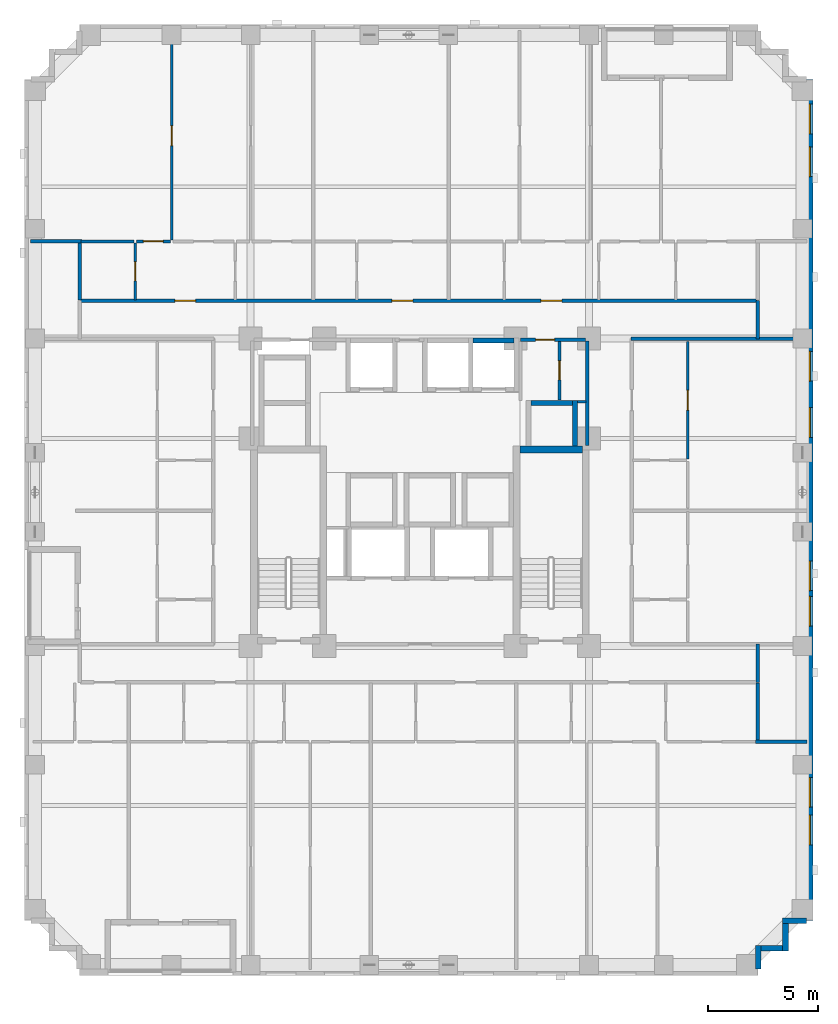
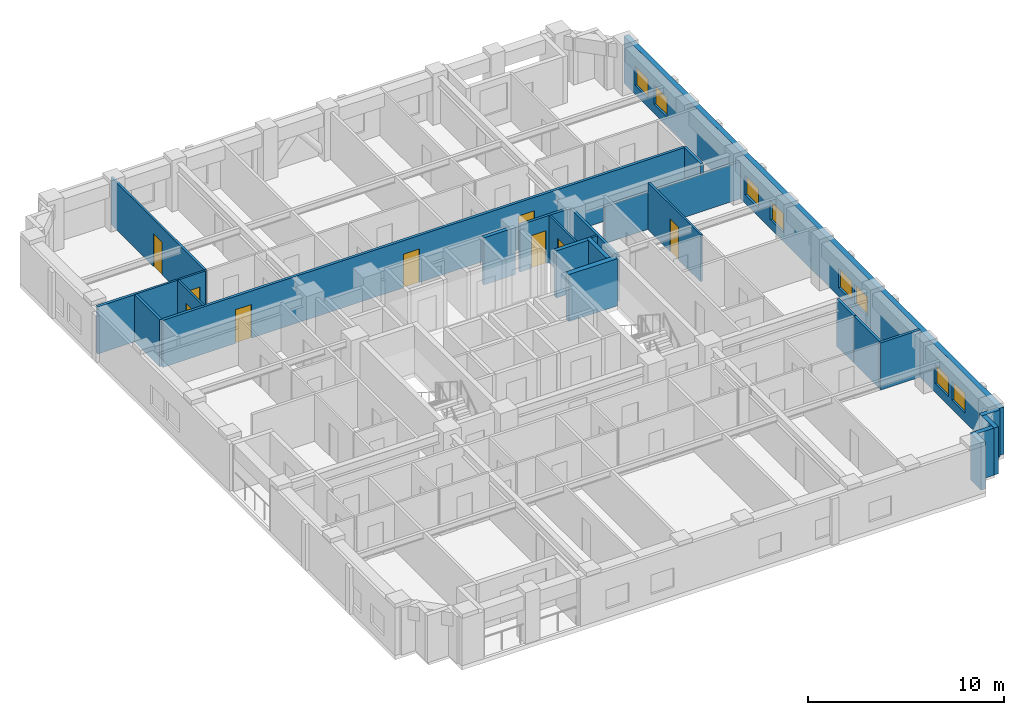
# One storey, part 6 of 12: 26 walls, 9 doors, 8 windows, 17 openings.
"""IFC4 building model written with IfcOpenShell, lengths in metres."""

from ifc_helpers import new_model, si_unit, derived_unit, direction, frame, frame_2d, origin, place, context, subcontext, project, spatial, rectangle, extrude, material, layer, layer_set, type_object, element, fill, save


model = new_model("IFC4")

# Units and contexts
model_context = context("Model", 3, precision=1e-05, world=origin(), true_north=direction((0.0, 1.0)))
body_context = subcontext(model_context, "Body", "Model", "MODEL_VIEW")
ifc_project = project(units=[si_unit("LENGTHUNIT", "METRE"), si_unit("AREAUNIT", "SQUARE_METRE"), si_unit("VOLUMEUNIT", "CUBIC_METRE"), si_unit("PLANEANGLEUNIT", "RADIAN"), si_unit("MASSUNIT", "GRAM", prefix="KILO"), derived_unit("THERMALTRANSMITTANCEUNIT", [(si_unit("MASSUNIT", "GRAM", prefix="KILO"), 1), (si_unit("TIMEUNIT", "SECOND"), -3), (si_unit("THERMODYNAMICTEMPERATUREUNIT", "KELVIN"), -1)])], contexts=[model_context])

# Site, building, storey
site_placement = place(None, origin())
site = spatial("IfcSite", under=ifc_project, at=site_placement, CompositionType="ELEMENT")
building_placement = place(site_placement, origin())
building = spatial("IfcBuilding", under=site, at=building_placement, Name="Korrvale Station Residences", CompositionType="ELEMENT")
storey_placement = place(building_placement, frame((0.0, 0.0, 94.300048828125)))
storey = spatial("IfcBuildingStorey", under=building, at=storey_placement, Name="L26", CompositionType="ELEMENT", Elevation=94.300048828125)

# Walls
ifc_material_1 = material(Name="Concrete C60/75", Category="concrete")
ifc_layer_1 = layer(ifc_material_1, 0.300048828125, Name="Concrete C60/75")
ifc_layer_set_1 = layer_set([ifc_layer_1], Name="Concrete C60/75")
wall_type_1 = type_object("IfcWallType", Name="WAL-CORE-300-C60", PredefinedType="SHEAR", material=ifc_layer_set_1)
wall_1_placement = place(storey_placement, frame((30.050048828125, 23.949951171875, 0.0), z_axis=(0.0, 0.0, 1.0), x_axis=(1.0, 0.0, 0.0)))
element("IfcWall", 1, at=wall_1_placement, inside=storey, type_object=wall_type_1, Name="L26 ST-2 Core Shear Wall North", PredefinedType="SHEAR", context=body_context, shape_type="SweptSolid", body=[
    extrude(rectangle(XDim=2.849853515625, YDim=0.300048828125, at=frame_2d((1.4248046875, 0.0))), origin(), (0.0, 0.0, 1.0), 2.93994140625),
])
ifc_material_2 = material(Name="Precast concrete C45/55", Category="concrete")
ifc_layer_2 = layer(ifc_material_2, 0.260009765625, Name="Precast concrete C45/55")
ifc_layer_set_2 = layer_set([ifc_layer_2], Name="Precast concrete C45/55")
wall_type_2 = type_object("IfcWallType", Name="WAL-EXT-LOG260", PredefinedType="SOLIDWALL", material=ifc_layer_set_2)
wall_2_placement = place(storey_placement, frame((43.097900390625, 2.5, 0.0), z_axis=(0.0, 0.0, 1.0), x_axis=(-1.0, 0.0, 0.0)))
element("IfcWall", 2, at=wall_2_placement, inside=storey, type_object=wall_type_2, Name="L26 Serrated Corner Precast Step SE-1", PredefinedType="SOLIDWALL", context=body_context, shape_type="SweptSolid", body=[
    extrude(rectangle(XDim=1.077880859375, YDim=0.260009765625, at=frame_2d((0.5390625, 0.0))), origin(), (0.0, 0.0, 1.0), 2.93994140625),
])
wall_3_placement = place(storey_placement, frame((42.14990234375, 2.367919921875, 0.0), z_axis=(0.0, 0.0, 1.0), x_axis=(0.0, -1.0, 0.0)))
element("IfcWall", 3, at=wall_3_placement, inside=storey, type_object=wall_type_2, Name="L26 Serrated Corner Precast Step SE-2", PredefinedType="SOLIDWALL", context=body_context, shape_type="SweptSolid", body=[
    extrude(rectangle(XDim=1.247802734375, YDim=0.260009765625, at=frame_2d((0.6240234375, 0.0))), origin(), (0.0, 0.0, 1.0), 2.93994140625),
])
wall_4_placement = place(storey_placement, frame((42.01806640625, 1.25, 0.0), z_axis=(0.0, 0.0, 1.0), x_axis=(-1.0, 0.0, 0.0)))
element("IfcWall", 4, at=wall_4_placement, inside=storey, type_object=wall_type_2, Name="L26 Serrated Corner Precast Step SE-3", PredefinedType="SOLIDWALL", context=body_context, shape_type="SweptSolid", body=[
    extrude(rectangle(XDim=0.986083984375, YDim=0.260009765625, at=frame_2d((0.4931640625, 0.0))), origin(), (0.0, 0.0, 1.0), 2.93994140625),
])
wall_5_placement = place(storey_placement, frame((40.89990234375, 1.3798828125, 0.0), z_axis=(0.0, 0.0, 1.0), x_axis=(0.0, -1.0, 0.0)))
element("IfcWall", 5, at=wall_5_placement, inside=storey, type_object=wall_type_2, Name="L26 Serrated Corner Precast Step SE-4", PredefinedType="SOLIDWALL", context=body_context, shape_type="SweptSolid", body=[
    extrude(rectangle(XDim=1.077880859375, YDim=0.260009765625, at=frame_2d((0.5390625, 0.0))), origin(), (0.0, 0.0, 1.0), 2.93994140625),
])

# Wall, openings, windows
ifc_layer_3 = layer(ifc_material_2, 0.300048828125, Name="Precast concrete C45/55")
ifc_layer_set_3 = layer_set([ifc_layer_3], Name="Precast concrete C45/55")
wall_type_3 = type_object("IfcWallType", Name="WAL-EXT-PC300", PredefinedType="SOLIDWALL", material=ifc_layer_set_3)
wall_6_placement = place(storey_placement, frame((43.25, 40.800048828125, 0.0), z_axis=(0.0, 0.0, 1.0), x_axis=(0.0, -1.0, 0.0)))
wall_6 = element("IfcWall", 6, at=wall_6_placement, inside=storey, type_object=wall_type_3, Name="L26 East Exterior Precast Wall 1", PredefinedType="SOLIDWALL", context=body_context, shape_type="SweptSolid", body=[
    extrude(rectangle(XDim=38.300048828125, YDim=0.300048828125, at=frame_2d((19.14990234375, 0.0))), origin(), (0.0, 0.0, 1.0), 2.93994140625),
])
opening_1_placement = place(wall_6_placement, frame((33.4951171875, 0.0, 0.550048828125)))
opening_1 = element("IfcOpeningElement", 7, at=opening_1_placement, cuts=wall_6, Name="Opening W-10", PredefinedType="OPENING", context=body_context, shape_type="SweptSolid", body=[
    extrude(rectangle(XDim=1.35009765625, YDim=1.199951171875, at=frame_2d((0.675048828125, 0.60009765625))), frame((0.0, 0.16015625, 0.0), z_axis=(0.0, -1.0, 0.0), x_axis=(1.0, 0.0, 0.0)), (0.0, 0.0, 1.0), 0.320068359375),
])
opening_2_placement = place(wall_6_placement, frame((31.784912109375, 0.0, 0.550048828125)))
opening_2 = element("IfcOpeningElement", 8, at=opening_2_placement, cuts=wall_6, Name="Opening W-10", PredefinedType="OPENING", context=body_context, shape_type="SweptSolid", body=[
    extrude(rectangle(XDim=1.35009765625, YDim=1.199951171875, at=frame_2d((0.675048828125, 0.60009765625))), frame((0.0, 0.16015625, 0.0), z_axis=(0.0, -1.0, 0.0), x_axis=(1.0, 0.0, 0.0)), (0.0, 0.0, 1.0), 0.320068359375),
])
opening_3_placement = place(wall_6_placement, frame((3.080078125, 0.0, 0.550048828125)))
opening_3 = element("IfcOpeningElement", 9, at=opening_3_placement, cuts=wall_6, Name="Opening W-10", PredefinedType="OPENING", context=body_context, shape_type="SweptSolid", body=[
    extrude(rectangle(XDim=1.35009765625, YDim=1.199951171875, at=frame_2d((0.675048828125, 0.60009765625))), frame((0.0, 0.16015625, 0.0), z_axis=(0.0, -1.0, 0.0), x_axis=(1.0, 0.0, 0.0)), (0.0, 0.0, 1.0), 0.320068359375),
])
opening_4_placement = place(wall_6_placement, frame((1.135009765625, 0.0, 0.550048828125)))
opening_4 = element("IfcOpeningElement", 10, at=opening_4_placement, cuts=wall_6, Name="Opening W-10", PredefinedType="OPENING", context=body_context, shape_type="SweptSolid", body=[
    extrude(rectangle(XDim=1.35009765625, YDim=1.199951171875, at=frame_2d((0.675048828125, 0.60009765625))), frame((0.0, 0.16015625, 0.0), z_axis=(0.0, -1.0, 0.0), x_axis=(1.0, 0.0, 0.0)), (0.0, 0.0, 1.0), 0.320068359375),
])
opening_5_placement = place(wall_6_placement, frame((21.929931640625, 0.0, 0.550048828125)))
opening_5 = element("IfcOpeningElement", 11, at=opening_5_placement, cuts=wall_6, Name="Opening W-10", PredefinedType="OPENING", context=body_context, shape_type="SweptSolid", body=[
    extrude(rectangle(XDim=1.35009765625, YDim=1.199951171875, at=frame_2d((0.675048828125, 0.60009765625))), frame((0.0, 0.16015625, 0.0), z_axis=(0.0, -1.0, 0.0), x_axis=(1.0, 0.0, 0.0)), (0.0, 0.0, 1.0), 0.320068359375),
])
opening_6_placement = place(wall_6_placement, frame((23.5400390625, 0.0, 0.550048828125)))
opening_6 = element("IfcOpeningElement", 12, at=opening_6_placement, cuts=wall_6, Name="Opening W-10", PredefinedType="OPENING", context=body_context, shape_type="SweptSolid", body=[
    extrude(rectangle(XDim=1.35009765625, YDim=1.199951171875, at=frame_2d((0.675048828125, 0.60009765625))), frame((0.0, 0.16015625, 0.0), z_axis=(0.0, -1.0, 0.0), x_axis=(1.0, 0.0, 0.0)), (0.0, 0.0, 1.0), 0.320068359375),
])
opening_7_placement = place(wall_6_placement, frame((14.949951171875, 0.0, 0.550048828125)))
opening_7 = element("IfcOpeningElement", 13, at=opening_7_placement, cuts=wall_6, Name="Opening W-10", PredefinedType="OPENING", context=body_context, shape_type="SweptSolid", body=[
    extrude(rectangle(XDim=1.35009765625, YDim=1.199951171875, at=frame_2d((0.675048828125, 0.60009765625))), frame((0.0, 0.16015625, 0.0), z_axis=(0.0, -1.0, 0.0), x_axis=(1.0, 0.0, 0.0)), (0.0, 0.0, 1.0), 0.320068359375),
])
opening_8_placement = place(wall_6_placement, frame((12.385009765625, 0.0, 0.550048828125)))
opening_8 = element("IfcOpeningElement", 14, at=opening_8_placement, cuts=wall_6, Name="Opening W-10", PredefinedType="OPENING", context=body_context, shape_type="SweptSolid", body=[
    extrude(rectangle(XDim=1.35009765625, YDim=1.199951171875, at=frame_2d((0.675048828125, 0.60009765625))), frame((0.0, 0.16015625, 0.0), z_axis=(0.0, -1.0, 0.0), x_axis=(1.0, 0.0, 0.0)), (0.0, 0.0, 1.0), 0.320068359375),
])
ifc_material_3 = material(Name="Thermally broken aluminium frame with triple low-e glazing", Category="aluminium")
window_type = type_object("IfcWindowType", Name="WIN-W10", PartitioningType="SINGLE_PANEL", PredefinedType="WINDOW", material=ifc_material_3)
window_1_placement = place(opening_1_placement, origin())
window_1 = element("IfcWindow", 15, at=window_1_placement, inside=storey, type_object=window_type, Name="L26 Punched Window 09", OverallHeight=1.199951171875, OverallWidth=1.35009765625, PartitioningType="SINGLE_PANEL", PredefinedType="WINDOW", context=body_context, shape_type="SweptSolid", body=[
    extrude(rectangle(XDim=1.35009765625, YDim=1.199951171875, at=frame_2d((0.675048828125, 0.60009765625))), frame((0.0, 0.030029296875, 0.0), z_axis=(0.0, -1.0, 0.0), x_axis=(1.0, 0.0, 0.0)), (0.0, 0.0, 1.0), 0.06005859375),
])
fill(opening_1, window_1)
window_2_placement = place(opening_2_placement, origin())
window_2 = element("IfcWindow", 16, at=window_2_placement, inside=storey, type_object=window_type, Name="L26 Punched Window 10", OverallHeight=1.199951171875, OverallWidth=1.35009765625, PartitioningType="SINGLE_PANEL", PredefinedType="WINDOW", context=body_context, shape_type="SweptSolid", body=[
    extrude(rectangle(XDim=1.35009765625, YDim=1.199951171875, at=frame_2d((0.675048828125, 0.60009765625))), frame((0.0, 0.030029296875, 0.0), z_axis=(0.0, -1.0, 0.0), x_axis=(1.0, 0.0, 0.0)), (0.0, 0.0, 1.0), 0.06005859375),
])
fill(opening_2, window_2)
window_3_placement = place(opening_3_placement, origin())
window_3 = element("IfcWindow", 17, at=window_3_placement, inside=storey, type_object=window_type, Name="L26 Punched Window 19", OverallHeight=1.199951171875, OverallWidth=1.35009765625, PartitioningType="SINGLE_PANEL", PredefinedType="WINDOW", context=body_context, shape_type="SweptSolid", body=[
    extrude(rectangle(XDim=1.35009765625, YDim=1.199951171875, at=frame_2d((0.675048828125, 0.60009765625))), frame((0.0, 0.030029296875, 0.0), z_axis=(0.0, -1.0, 0.0), x_axis=(1.0, 0.0, 0.0)), (0.0, 0.0, 1.0), 0.06005859375),
])
fill(opening_3, window_3)
window_4_placement = place(opening_4_placement, origin())
window_4 = element("IfcWindow", 18, at=window_4_placement, inside=storey, type_object=window_type, Name="L26 Punched Window 20", OverallHeight=1.199951171875, OverallWidth=1.35009765625, PartitioningType="SINGLE_PANEL", PredefinedType="WINDOW", context=body_context, shape_type="SweptSolid", body=[
    extrude(rectangle(XDim=1.35009765625, YDim=1.199951171875, at=frame_2d((0.675048828125, 0.60009765625))), frame((0.0, 0.030029296875, 0.0), z_axis=(0.0, -1.0, 0.0), x_axis=(1.0, 0.0, 0.0)), (0.0, 0.0, 1.0), 0.06005859375),
])
fill(opening_4, window_4)
window_5_placement = place(opening_5_placement, origin())
window_5 = element("IfcWindow", 19, at=window_5_placement, inside=storey, type_object=window_type, Name="L26 Punched Window 24", OverallHeight=1.199951171875, OverallWidth=1.35009765625, PartitioningType="SINGLE_PANEL", PredefinedType="WINDOW", context=body_context, shape_type="SweptSolid", body=[
    extrude(rectangle(XDim=1.35009765625, YDim=1.199951171875, at=frame_2d((0.675048828125, 0.60009765625))), frame((0.0, 0.030029296875, 0.0), z_axis=(0.0, -1.0, 0.0), x_axis=(1.0, 0.0, 0.0)), (0.0, 0.0, 1.0), 0.06005859375),
])
fill(opening_5, window_5)
window_6_placement = place(opening_6_placement, origin())
window_6 = element("IfcWindow", 20, at=window_6_placement, inside=storey, type_object=window_type, Name="L26 Punched Window 25", OverallHeight=1.199951171875, OverallWidth=1.35009765625, PartitioningType="SINGLE_PANEL", PredefinedType="WINDOW", context=body_context, shape_type="SweptSolid", body=[
    extrude(rectangle(XDim=1.35009765625, YDim=1.199951171875, at=frame_2d((0.675048828125, 0.60009765625))), frame((0.0, 0.030029296875, 0.0), z_axis=(0.0, -1.0, 0.0), x_axis=(1.0, 0.0, 0.0)), (0.0, 0.0, 1.0), 0.06005859375),
])
fill(opening_6, window_6)
window_7_placement = place(opening_7_placement, origin())
window_7 = element("IfcWindow", 21, at=window_7_placement, inside=storey, type_object=window_type, Name="L26 Punched Window 26", OverallHeight=1.199951171875, OverallWidth=1.35009765625, PartitioningType="SINGLE_PANEL", PredefinedType="WINDOW", context=body_context, shape_type="SweptSolid", body=[
    extrude(rectangle(XDim=1.35009765625, YDim=1.199951171875, at=frame_2d((0.675048828125, 0.60009765625))), frame((0.0, 0.030029296875, 0.0), z_axis=(0.0, -1.0, 0.0), x_axis=(1.0, 0.0, 0.0)), (0.0, 0.0, 1.0), 0.06005859375),
])
fill(opening_7, window_7)
window_8_placement = place(opening_8_placement, origin())
window_8 = element("IfcWindow", 22, at=window_8_placement, inside=storey, type_object=window_type, Name="L26 Punched Window 27", OverallHeight=1.199951171875, OverallWidth=1.35009765625, PartitioningType="SINGLE_PANEL", PredefinedType="WINDOW", context=body_context, shape_type="SweptSolid", body=[
    extrude(rectangle(XDim=1.35009765625, YDim=1.199951171875, at=frame_2d((0.675048828125, 0.60009765625))), frame((0.0, 0.030029296875, 0.0), z_axis=(0.0, -1.0, 0.0), x_axis=(1.0, 0.0, 0.0)), (0.0, 0.0, 1.0), 0.06005859375),
])
fill(opening_8, window_8)

# Wall
ifc_material_4 = material(Name="Acoustic steel-stud gypsum board partition", Category="steel")
ifc_layer_4 = layer(ifc_material_4, 0.1201171875, Name="Acoustic steel-stud gypsum board partition")
ifc_layer_set_4 = layer_set([ifc_layer_4], Name="Acoustic steel-stud gypsum board partition")
wall_type_4 = type_object("IfcWallType", Name="WAL-PART-125", PredefinedType="PARTITIONING", material=ifc_layer_set_4)
wall_7_placement = place(storey_placement, frame((32.679931640625, 26.1201171875, 0.0), z_axis=(0.0, 0.0, 1.0), x_axis=(1.0, 0.0, 0.0)))
element("IfcWall", 23, at=wall_7_placement, inside=storey, type_object=wall_type_4, Name="L26 Core Partition CW-CS-S", PredefinedType="PARTITIONING", context=body_context, shape_type="SweptSolid", body=[
    extrude(rectangle(XDim=0.380126953125, YDim=0.1201171875, at=frame_2d((0.18994140625, 0.0))), origin(), (0.0, 0.0, 1.0), 2.93994140625),
])

# Wall, opening, door
wall_8_placement = place(storey_placement, frame((31.860107421875, 26.199951171875, 0.0), z_axis=(0.0, 0.0, 1.0), x_axis=(0.0, 1.0, 0.0)))
wall_8 = element("IfcWall", 24, at=wall_8_placement, inside=storey, type_object=wall_type_4, Name="L26 Core Partition CW-CS-MID", PredefinedType="PARTITIONING", context=body_context, shape_type="SweptSolid", body=[
    extrude(rectangle(XDim=2.66015625, YDim=0.1201171875, at=frame_2d((1.330078125, 0.0))), origin(), (0.0, 0.0, 1.0), 2.93994140625),
])
opening_9_placement = place(wall_8_placement, frame((0.919921875, 0.0, 0.0)))
opening_9 = element("IfcOpeningElement", 25, at=opening_9_placement, cuts=wall_8, Name="Opening DB-860", PredefinedType="OPENING", context=body_context, shape_type="SweptSolid", body=[
    extrude(rectangle(XDim=0.860107421875, YDim=2.050048828125, at=frame_2d((0.43017578125, 1.02490234375))), frame((0.0, 0.070068359375, 0.0), z_axis=(0.0, -1.0, 0.0), x_axis=(1.0, 0.0, 0.0)), (0.0, 0.0, 1.0), 0.14013671875),
])
ifc_material_5 = material(Name="Moisture-resistant solid-core bathroom door", Category="timber")
door_type_1 = type_object("IfcDoorType", Name="DR-BATH-860", OperationType="NOTDEFINED", PredefinedType="DOOR", material=ifc_material_5)
door_1_placement = place(opening_9_placement, origin())
door_1 = element("IfcDoor", 26, at=door_1_placement, inside=storey, type_object=door_type_1, Name="L26 Metering Inner Door", OperationType="SINGLE_SWING_RIGHT", OverallHeight=2.050048828125, OverallWidth=0.860107421875, PredefinedType="DOOR", context=body_context, shape_type="SweptSolid", body=[
    extrude(rectangle(XDim=0.860107421875, YDim=2.050048828125, at=frame_2d((0.43017578125, 1.02490234375))), frame((0.0, 0.02490234375, 0.0), z_axis=(0.0, -1.0, 0.0), x_axis=(1.0, 0.0, 0.0)), (0.0, 0.0, 1.0), 0.050048828125),
])
fill(opening_9, door_1)

wall_9_placement = place(storey_placement, frame((12.5400390625, 30.760009765625, 0.0), z_axis=(0.0, 0.0, 1.0), x_axis=(0.0, 1.0, 0.0)))
wall_9 = element("IfcWall", 27, at=wall_9_placement, inside=storey, type_object=wall_type_4, Name="L26 Suite Partition U05-V01", PredefinedType="PARTITIONING", context=body_context, shape_type="SweptSolid", body=[
    extrude(rectangle(XDim=2.60009765625, YDim=0.1201171875, at=frame_2d((1.300048828125, 0.0))), origin(), (0.0, 0.0, 1.0), 2.93994140625),
])
opening_10_placement = place(wall_9_placement, frame((0.8701171875, 0.0, 0.0)))
opening_10 = element("IfcOpeningElement", 28, at=opening_10_placement, cuts=wall_9, Name="Opening DB-860", PredefinedType="OPENING", context=body_context, shape_type="SweptSolid", body=[
    extrude(rectangle(XDim=0.860107421875, YDim=2.050048828125, at=frame_2d((0.43017578125, 1.02490234375))), frame((0.0, 0.070068359375, 0.0), z_axis=(0.0, -1.0, 0.0), x_axis=(1.0, 0.0, 0.0)), (0.0, 0.0, 1.0), 0.14013671875),
])
door_2_placement = place(opening_10_placement, origin())
door_2 = element("IfcDoor", 29, at=door_2_placement, inside=storey, type_object=door_type_1, Name="L26 Apartment 2BR L26-U05 Bathroom Door", OperationType="SINGLE_SWING_LEFT", OverallHeight=2.050048828125, OverallWidth=0.860107421875, PredefinedType="DOOR", context=body_context, shape_type="SweptSolid", body=[
    extrude(rectangle(XDim=0.860107421875, YDim=2.050048828125, at=frame_2d((0.43017578125, 1.02490234375))), frame((0.0, 0.02490234375, 0.0), z_axis=(0.0, -1.0, 0.0), x_axis=(1.0, 0.0, 0.0)), (0.0, 0.0, 1.0), 0.050048828125),
])
fill(opening_10, door_2)

# Wall
wall_10_placement = place(storey_placement, frame((10.080078125, 33.419921875, 0.0), z_axis=(0.0, 0.0, 1.0), x_axis=(1.0, 0.0, 0.0)))
element("IfcWall", 30, at=wall_10_placement, inside=storey, type_object=wall_type_4, Name="L26 Suite Partition U05-H03", PredefinedType="PARTITIONING", context=body_context, shape_type="SweptSolid", body=[
    extrude(rectangle(XDim=2.39990234375, YDim=0.1201171875, at=frame_2d((1.199951171875, 0.0))), origin(), (0.0, 0.0, 1.0), 2.93994140625),
])

# Wall, opening, door
wall_11_placement = place(storey_placement, frame((12.60009765625, 33.419921875, 0.0), z_axis=(0.0, 0.0, 1.0), x_axis=(1.0, 0.0, 0.0)))
wall_11 = element("IfcWall", 31, at=wall_11_placement, inside=storey, type_object=wall_type_4, Name="L26 Suite Partition U05-H13", PredefinedType="PARTITIONING", context=body_context, shape_type="SweptSolid", body=[
    extrude(rectangle(XDim=1.539794921875, YDim=0.1201171875, at=frame_2d((0.77001953125, 0.0))), origin(), (0.0, 0.0, 1.0), 2.93994140625),
])
opening_11_placement = place(wall_11_placement, frame((0.320068359375, 0.0, 0.0)))
opening_11 = element("IfcOpeningElement", 32, at=opening_11_placement, cuts=wall_11, Name="Opening DI-900", PredefinedType="OPENING", context=body_context, shape_type="SweptSolid", body=[
    extrude(rectangle(XDim=0.89990234375, YDim=2.050048828125, at=frame_2d((0.449951171875, 1.02490234375))), frame((0.0, 0.070068359375, 0.0), z_axis=(0.0, -1.0, 0.0), x_axis=(1.0, 0.0, 0.0)), (0.0, 0.0, 1.0), 0.14013671875),
])
ifc_material_6 = material(Name="Painted solid-core timber interior room door", Category="wood")
door_type_2 = type_object("IfcDoorType", Name="DR-INT-900", OperationType="NOTDEFINED", PredefinedType="DOOR", material=ifc_material_6)
door_3_placement = place(opening_11_placement, origin())
door_3 = element("IfcDoor", 33, at=door_3_placement, inside=storey, type_object=door_type_2, Name="L26 Apartment 2BR L26-U05 Kitchen Door", OperationType="SINGLE_SWING_LEFT", OverallHeight=2.050048828125, OverallWidth=0.89990234375, PredefinedType="DOOR", context=body_context, shape_type="SweptSolid", body=[
    extrude(rectangle(XDim=0.89990234375, YDim=2.050048828125, at=frame_2d((0.449951171875, 1.02490234375))), frame((0.0, 0.02490234375, 0.0), z_axis=(0.0, -1.0, 0.0), x_axis=(1.0, 0.0, 0.0)), (0.0, 0.0, 1.0), 0.050048828125),
])
fill(opening_11, door_3)

wall_12_placement = place(storey_placement, frame((14.199951171875, 33.47998046875, 0.0), z_axis=(0.0, 0.0, 1.0), x_axis=(0.0, 1.0, 0.0)))
wall_12 = element("IfcWall", 34, at=wall_12_placement, inside=storey, type_object=wall_type_4, Name="L26 Suite Partition U05-V34", PredefinedType="PARTITIONING", context=body_context, shape_type="SweptSolid", body=[
    extrude(rectangle(XDim=9.5400390625, YDim=0.1201171875, at=frame_2d((4.77001953125, 0.0))), origin(), (0.0, 0.0, 1.0), 2.93994140625),
])
opening_12_placement = place(wall_12_placement, frame((4.304931640625, 0.0, 0.0)))
opening_12 = element("IfcOpeningElement", 35, at=opening_12_placement, cuts=wall_12, Name="Opening DI-900", PredefinedType="OPENING", context=body_context, shape_type="SweptSolid", body=[
    extrude(rectangle(XDim=0.89990234375, YDim=2.050048828125, at=frame_2d((0.449951171875, 1.02490234375))), frame((0.0, 0.070068359375, 0.0), z_axis=(0.0, -1.0, 0.0), x_axis=(1.0, 0.0, 0.0)), (0.0, 0.0, 1.0), 0.14013671875),
])
door_4_placement = place(opening_12_placement, origin())
door_4 = element("IfcDoor", 36, at=door_4_placement, inside=storey, type_object=door_type_2, Name="L26 Apartment 2BR L26-U05 Living and Dining Room Door", OperationType="SINGLE_SWING_RIGHT", OverallHeight=2.050048828125, OverallWidth=0.89990234375, PredefinedType="DOOR", context=body_context, shape_type="SweptSolid", body=[
    extrude(rectangle(XDim=0.89990234375, YDim=2.050048828125, at=frame_2d((0.449951171875, 1.02490234375))), frame((0.0, 0.02490234375, 0.0), z_axis=(0.0, -1.0, 0.0), x_axis=(1.0, 0.0, 0.0)), (0.0, 0.0, 1.0), 0.050048828125),
])
fill(opening_12, door_4)

wall_13_placement = place(storey_placement, frame((37.699951171875, 23.527099609375, 0.0), z_axis=(0.0, 0.0, 1.0), x_axis=(0.0, 1.0, 0.0)))
wall_13 = element("IfcWall", 37, at=wall_13_placement, inside=storey, type_object=wall_type_4, Name="L26 Suite Partition U11-V12", PredefinedType="PARTITIONING", context=body_context, shape_type="SweptSolid", body=[
    extrude(rectangle(XDim=5.3330078125, YDim=0.1201171875, at=frame_2d((2.66650390625, 0.0))), origin(), (0.0, 0.0, 1.0), 2.93994140625),
])
opening_13_placement = place(wall_13_placement, frame((2.216064453125, 0.0, 0.0)))
opening_13 = element("IfcOpeningElement", 38, at=opening_13_placement, cuts=wall_13, Name="Opening DI-900", PredefinedType="OPENING", context=body_context, shape_type="SweptSolid", body=[
    extrude(rectangle(XDim=0.89990234375, YDim=2.050048828125, at=frame_2d((0.449951171875, 1.02490234375))), frame((0.0, 0.070068359375, 0.0), z_axis=(0.0, -1.0, 0.0), x_axis=(1.0, 0.0, 0.0)), (0.0, 0.0, 1.0), 0.14013671875),
])
door_5_placement = place(opening_13_placement, origin())
door_5 = element("IfcDoor", 39, at=door_5_placement, inside=storey, type_object=door_type_2, Name="L26 Apartment 1BR L26-U11 Kitchen Door", OperationType="SINGLE_SWING_RIGHT", OverallHeight=2.050048828125, OverallWidth=0.89990234375, PredefinedType="DOOR", context=body_context, shape_type="SweptSolid", body=[
    extrude(rectangle(XDim=0.89990234375, YDim=2.050048828125, at=frame_2d((0.449951171875, 1.02490234375))), frame((0.0, 0.02490234375, 0.0), z_axis=(0.0, -1.0, 0.0), x_axis=(1.0, 0.0, 0.0)), (0.0, 0.0, 1.0), 0.050048828125),
])
fill(opening_13, door_5)

# Wall
ifc_material_7 = material(Name="Fire-rated twin-stud gypsum and mineral wool shaftwall assembly", Category="gypsum")
ifc_layer_5 = layer(ifc_material_7, 0.159912109375, Name="Fire-rated twin-stud gypsum and mineral wool shaftwall assembly")
ifc_layer_set_5 = layer_set([ifc_layer_5], Name="Fire-rated twin-stud gypsum and mineral wool shaftwall assembly")
wall_type_5 = type_object("IfcWallType", Name="WAL-PART-200", PredefinedType="PARTITIONING", material=ifc_layer_set_5)
wall_14_placement = place(storey_placement, frame((33.1201171875, 24.1201171875, 0.0), z_axis=(0.0, 0.0, 1.0), x_axis=(0.0, 1.0, 0.0)))
element("IfcWall", 40, at=wall_14_placement, inside=storey, type_object=wall_type_5, Name="L26 Core Partition CW-E-N", PredefinedType="PARTITIONING", context=body_context, shape_type="SweptSolid", body=[
    extrude(rectangle(XDim=4.759765625, YDim=0.159912109375, at=frame_2d((2.3798828125, 0.0))), origin(), (0.0, 0.0, 1.0), 2.93994140625),
])

# Wall, opening, door
wall_15_placement = place(storey_placement, frame((30.080078125, 28.949951171875, 0.0), z_axis=(0.0, 0.0, 1.0), x_axis=(1.0, 0.0, 0.0)))
wall_15 = element("IfcWall", 41, at=wall_15_placement, inside=storey, type_object=wall_type_5, Name="L26 Core Partition CW-CS-N", PredefinedType="PARTITIONING", context=body_context, shape_type="SweptSolid", body=[
    extrude(rectangle(XDim=2.9599609375, YDim=0.159912109375, at=frame_2d((1.47998046875, 0.0))), origin(), (0.0, 0.0, 1.0), 2.93994140625),
])
opening_14_placement = place(wall_15_placement, frame((0.695068359375, 0.0, 0.0)))
opening_14 = element("IfcOpeningElement", 42, at=opening_14_placement, cuts=wall_15, Name="Opening DB-860", PredefinedType="OPENING", context=body_context, shape_type="SweptSolid", body=[
    extrude(rectangle(XDim=0.860107421875, YDim=2.050048828125, at=frame_2d((0.43017578125, 1.02490234375))), frame((0.0, 0.08984375, 0.0), z_axis=(0.0, -1.0, 0.0), x_axis=(1.0, 0.0, 0.0)), (0.0, 0.0, 1.0), 0.179931640625),
])
door_6_placement = place(opening_14_placement, origin())
door_6 = element("IfcDoor", 43, at=door_6_placement, inside=storey, type_object=door_type_1, Name="L26 Housekeeping Supply Door", OperationType="SINGLE_SWING_LEFT", OverallHeight=2.050048828125, OverallWidth=0.860107421875, PredefinedType="DOOR", context=body_context, shape_type="SweptSolid", body=[
    extrude(rectangle(XDim=0.860107421875, YDim=2.050048828125, at=frame_2d((0.43017578125, 1.02490234375))), frame((0.0, 0.02490234375, 0.0), z_axis=(0.0, -1.0, 0.0), x_axis=(1.0, 0.0, 0.0)), (0.0, 0.0, 1.0), 0.050048828125),
])
fill(opening_14, door_6)

# Walls
for number, where, z_axis, x_axis, name in (
    (44, (40.8798828125, 13.35009765625, 0.0), (0.0, 0.0, 1.0), (0.0, 1.0, 0.0), "L26 Corridor South East Cap"),
    (45, (40.8798828125, 28.97998046875, 0.0), (0.0, 0.0, 1.0), (0.0, 1.0, 0.0), "L26 Corridor North East Cap"),
):
    element("IfcWall", number, at=place(storey_placement, frame(where, z_axis=z_axis, x_axis=x_axis)), inside=storey, type_object=wall_type_5, Name=name, PredefinedType="PARTITIONING", context=body_context, shape_type="SweptSolid", body=[
        extrude(rectangle(XDim=1.739990234375, YDim=0.159912109375, at=frame_2d((0.8701171875, 0.0))), origin(), (0.0, 0.0, 1.0), 2.93994140625),
    ])
wall_16_placement = place(storey_placement, frame((35.110107421875, 28.97998046875, 0.0), z_axis=(0.0, 0.0, 1.0), x_axis=(1.0, 0.0, 0.0)))
element("IfcWall", 46, at=wall_16_placement, inside=storey, type_object=wall_type_5, Name="L26 East Wing North Corridor Wall", PredefinedType="PARTITIONING", context=body_context, shape_type="SweptSolid", body=[
    extrude(rectangle(XDim=8.010009765625, YDim=0.159912109375, at=frame_2d((4.0048828125, 0.0))), origin(), (0.0, 0.0, 1.0), 2.308837890625),
])
wall_17_placement = place(storey_placement, frame((40.780029296875, 10.64990234375, 0.0), z_axis=(0.0, 0.0, 1.0), x_axis=(1.0, 0.0, 0.0)))
element("IfcWall", 47, at=wall_17_placement, inside=storey, type_object=wall_type_5, Name="L26 Corner Step Wall U04-R", PredefinedType="PARTITIONING", context=body_context, shape_type="SweptSolid", body=[
    extrude(rectangle(XDim=2.340087890625, YDim=0.159912109375, at=frame_2d((1.169921875, 0.0))), origin(), (0.0, 0.0, 1.0), 2.93994140625),
])
wall_18_placement = place(storey_placement, frame((40.8798828125, 10.64990234375, 0.0), z_axis=(0.0, 0.0, 1.0), x_axis=(0.0, 1.0, 0.0)))
element("IfcWall", 48, at=wall_18_placement, inside=storey, type_object=wall_type_5, Name="L26 Corner Step Cheek U04-R", PredefinedType="PARTITIONING", context=body_context, shape_type="SweptSolid", body=[
    extrude(rectangle(XDim=2.66015625, YDim=0.159912109375, at=frame_2d((1.330078125, 0.0))), origin(), (0.0, 0.0, 1.0), 2.93994140625),
])
wall_19_placement = place(storey_placement, frame((7.780029296875, 33.419921875, 0.0), z_axis=(0.0, 0.0, 1.0), x_axis=(1.0, 0.0, 0.0)))
element("IfcWall", 49, at=wall_19_placement, inside=storey, type_object=wall_type_5, Name="L26 Corner Step Wall U05-L", PredefinedType="PARTITIONING", context=body_context, shape_type="SweptSolid", body=[
    extrude(rectangle(XDim=2.340087890625, YDim=0.159912109375, at=frame_2d((1.169921875, 0.0))), origin(), (0.0, 0.0, 1.0), 2.93994140625),
])
wall_20_placement = place(storey_placement, frame((10.02001953125, 30.760009765625, 0.0), z_axis=(0.0, 0.0, 1.0), x_axis=(0.0, 1.0, 0.0)))
element("IfcWall", 50, at=wall_20_placement, inside=storey, type_object=wall_type_5, Name="L26 Corner Step Cheek U05-L", PredefinedType="PARTITIONING", context=body_context, shape_type="SweptSolid", body=[
    extrude(rectangle(XDim=2.659912109375, YDim=0.159912109375, at=frame_2d((1.330078125, 0.0))), origin(), (0.0, 0.0, 1.0), 2.93994140625),
])

# Wall, openings, doors
wall_21_placement = place(storey_placement, frame((10.050048828125, 30.719970703125, 0.0), z_axis=(0.0, 0.0, 1.0), x_axis=(1.0, 0.0, 0.0)))
wall_21 = element("IfcWall", 51, at=wall_21_placement, inside=storey, type_object=wall_type_5, Name="L26 Rated Corridor Wall N", PredefinedType="PARTITIONING", context=body_context, shape_type="SweptSolid", body=[
    extrude(rectangle(XDim=30.800048828125, YDim=0.159912109375, at=frame_2d((15.39990234375, 0.0))), origin(), (0.0, 0.0, 1.0), 2.93994140625),
])
opening_15_placement = place(wall_21_placement, frame((4.294921875, 0.0, 0.0)))
opening_15 = element("IfcOpeningElement", 52, at=opening_15_placement, cuts=wall_21, Name="Opening UD-950", PredefinedType="OPENING", context=body_context, shape_type="SweptSolid", body=[
    extrude(rectangle(XDim=0.949951171875, YDim=2.10009765625, at=frame_2d((0.47509765625, 1.050048828125))), frame((0.0, 0.08984375, 0.0), z_axis=(0.0, -1.0, 0.0), x_axis=(1.0, 0.0, 0.0)), (0.0, 0.0, 1.0), 0.179931640625),
])
opening_16_placement = place(wall_21_placement, frame((14.178955078125, 0.0, 0.0)))
opening_16 = element("IfcOpeningElement", 53, at=opening_16_placement, cuts=wall_21, Name="Opening UD-950", PredefinedType="OPENING", context=body_context, shape_type="SweptSolid", body=[
    extrude(rectangle(XDim=0.949951171875, YDim=2.10009765625, at=frame_2d((0.47509765625, 1.050048828125))), frame((0.0, 0.08984375, 0.0), z_axis=(0.0, -1.0, 0.0), x_axis=(1.0, 0.0, 0.0)), (0.0, 0.0, 1.0), 0.179931640625),
])
opening_17_placement = place(wall_21_placement, frame((20.965087890625, 0.0, 0.0)))
opening_17 = element("IfcOpeningElement", 54, at=opening_17_placement, cuts=wall_21, Name="Opening UD-950", PredefinedType="OPENING", context=body_context, shape_type="SweptSolid", body=[
    extrude(rectangle(XDim=0.949951171875, YDim=2.10009765625, at=frame_2d((0.47509765625, 1.050048828125))), frame((0.0, 0.08984375, 0.0), z_axis=(0.0, -1.0, 0.0), x_axis=(1.0, 0.0, 0.0)), (0.0, 0.0, 1.0), 0.179931640625),
])
ifc_material_8 = material(Name="Solid-core acoustic oak apartment entrance door", Category="timber")
door_type_3 = type_object("IfcDoorType", Name="DR-UNIT-950", OperationType="NOTDEFINED", PredefinedType="DOOR", material=ifc_material_8)
door_7_placement = place(opening_15_placement, origin())
door_7 = element("IfcDoor", 55, at=door_7_placement, inside=storey, type_object=door_type_3, Name="L26 Apartment L26-U05 Entrance Door", OperationType="SINGLE_SWING_LEFT", OverallHeight=2.10009765625, OverallWidth=0.949951171875, PredefinedType="DOOR", context=body_context, shape_type="SweptSolid", body=[
    extrude(rectangle(XDim=0.949951171875, YDim=2.10009765625, at=frame_2d((0.47509765625, 1.050048828125))), frame((0.0, 0.02490234375, 0.0), z_axis=(0.0, -1.0, 0.0), x_axis=(1.0, 0.0, 0.0)), (0.0, 0.0, 1.0), 0.050048828125),
])
fill(opening_15, door_7)
door_8_placement = place(opening_16_placement, origin())
door_8 = element("IfcDoor", 56, at=door_8_placement, inside=storey, type_object=door_type_3, Name="L26 Apartment L26-U06 Entrance Door", OperationType="SINGLE_SWING_RIGHT", OverallHeight=2.10009765625, OverallWidth=0.949951171875, PredefinedType="DOOR", context=body_context, shape_type="SweptSolid", body=[
    extrude(rectangle(XDim=0.949951171875, YDim=2.10009765625, at=frame_2d((0.47509765625, 1.050048828125))), frame((0.0, 0.02490234375, 0.0), z_axis=(0.0, -1.0, 0.0), x_axis=(1.0, 0.0, 0.0)), (0.0, 0.0, 1.0), 0.050048828125),
])
fill(opening_16, door_8)
door_9_placement = place(opening_17_placement, origin())
door_9 = element("IfcDoor", 57, at=door_9_placement, inside=storey, type_object=door_type_3, Name="L26 Apartment L26-U07 Entrance Door", OperationType="SINGLE_SWING_LEFT", OverallHeight=2.10009765625, OverallWidth=0.949951171875, PredefinedType="DOOR", context=body_context, shape_type="SweptSolid", body=[
    extrude(rectangle(XDim=0.949951171875, YDim=2.10009765625, at=frame_2d((0.47509765625, 1.050048828125))), frame((0.0, 0.02490234375, 0.0), z_axis=(0.0, -1.0, 0.0), x_axis=(1.0, 0.0, 0.0)), (0.0, 0.0, 1.0), 0.050048828125),
])
fill(opening_17, door_9)

# Walls
ifc_layer_6 = layer(ifc_material_1, 0.219970703125, Name="Concrete C60/75")
ifc_layer_set_6 = layer_set([ifc_layer_6], Name="Concrete C60/75")
wall_type_6 = type_object("IfcWallType", Name="WAL-SHAFT-220-C60", PredefinedType="SHEAR", material=ifc_layer_set_6)
wall_22_placement = place(storey_placement, frame((27.929931640625, 28.909912109375, 0.0), z_axis=(0.0, 0.0, 1.0), x_axis=(1.0, 0.0, 0.0)))
element("IfcWall", 58, at=wall_22_placement, inside=storey, type_object=wall_type_6, Name="L26 Elevator PL-3 Hoistway Wall North", PredefinedType="SHEAR", context=body_context, shape_type="SweptSolid", body=[
    extrude(rectangle(XDim=1.860107421875, YDim=0.219970703125, at=frame_2d((0.93017578125, 0.0))), origin(), (0.0, 0.0, 1.0), 2.93994140625),
])
wall_23_placement = place(storey_placement, frame((30.550048828125, 26.06005859375, 0.0), z_axis=(0.0, 0.0, 1.0), x_axis=(1.0, 0.0, 0.0)))
element("IfcWall", 59, at=wall_23_placement, inside=storey, type_object=wall_type_6, Name="L26 Elevator PH-3 Hoistway Wall North", PredefinedType="SHEAR", context=body_context, shape_type="SweptSolid", body=[
    extrude(rectangle(XDim=1.89990234375, YDim=0.219970703125, at=frame_2d((0.949951171875, 0.0))), origin(), (0.0, 0.0, 1.0), 2.93994140625),
])
wall_24_placement = place(storey_placement, frame((32.56005859375, 24.10009765625, 0.0), z_axis=(0.0, 0.0, 1.0), x_axis=(0.0, 1.0, 0.0)))
element("IfcWall", 60, at=wall_24_placement, inside=storey, type_object=wall_type_6, Name="L26 Elevator PH-3 Hoistway Wall East", PredefinedType="SHEAR", context=body_context, shape_type="SweptSolid", body=[
    extrude(rectangle(XDim=2.06982421875, YDim=0.219970703125, at=frame_2d((1.034912109375, 0.0))), origin(), (0.0, 0.0, 1.0), 2.93994140625),
])

save(model, "model.ifc")
